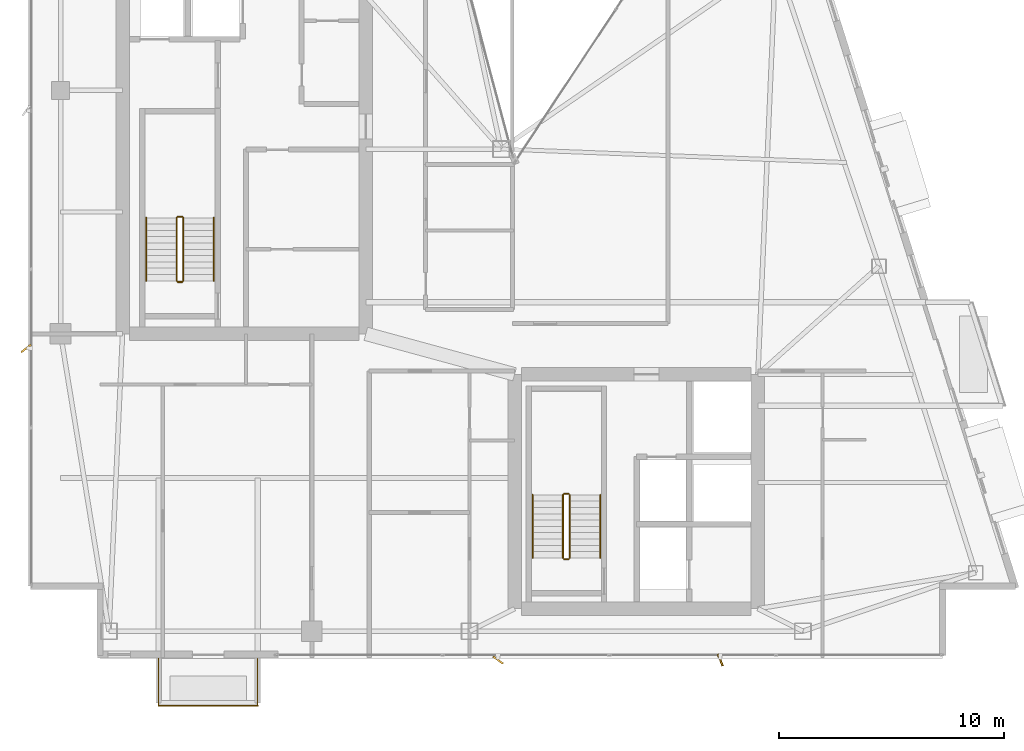
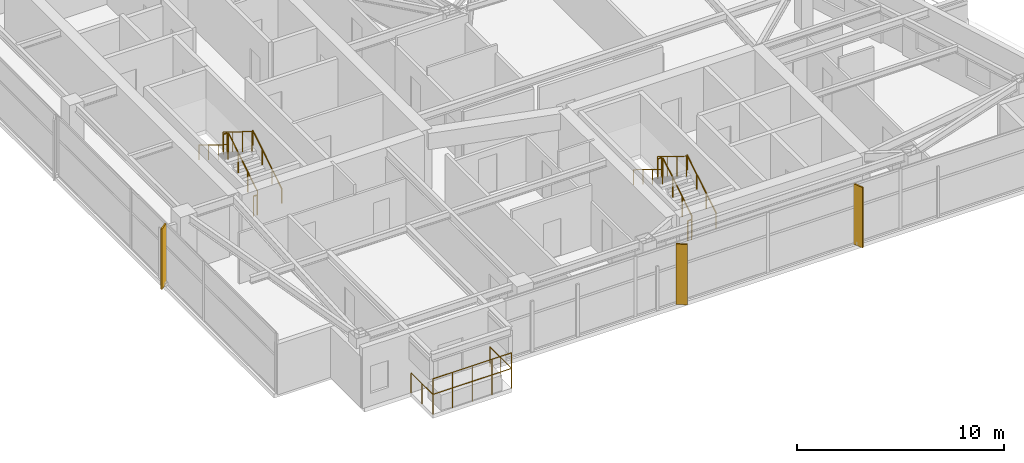
# One storey, part 27 of 28: 14 railings, 3 shading devices.
"""IFC4 building model written with IfcOpenShell, lengths in metres."""

from ifc_helpers import new_model, si_unit, direction, frame, origin, origin_2d, place, context, subcontext, project, spatial, rectangle, circle, extrude, material, type_object, element, save


model = new_model("IFC4")

# Units and contexts
model_context = context("Model", 3, precision=1e-05, world=origin(), true_north=direction((0.0, 1.0)))
body_context = subcontext(model_context, "Body", "Model", "MODEL_VIEW")
ifc_project = project(units=[si_unit("LENGTHUNIT", "METRE"), si_unit("AREAUNIT", "SQUARE_METRE"), si_unit("VOLUMEUNIT", "CUBIC_METRE"), si_unit("PLANEANGLEUNIT", "RADIAN"), si_unit("MASSUNIT", "GRAM", prefix="KILO")], contexts=[model_context])

# Site, building, storey
site_placement = place(None, origin())
site = spatial("IfcSite", under=ifc_project, at=site_placement, CompositionType="ELEMENT")
building_placement = place(site_placement, origin())
building = spatial("IfcBuilding", under=site, at=building_placement, Name="Calvorn Quay Hotel", CompositionType="ELEMENT")
storey_placement = place(building_placement, frame((0.0, 0.0, 271.10009765625)))
storey = spatial("IfcBuildingStorey", under=building, at=storey_placement, Name="L67", CompositionType="ELEMENT", Elevation=271.10009765625)

# Railings
ifc_material_1 = material(Name="Pale Anodised Aluminium and Laminated Glass", Category="aluminium")
railing_type_1 = type_object("IfcRailingType", Name="RLG-BALUSTRADE-1200", PredefinedType="BALUSTRADE", material=ifc_material_1)
railing_1_placement = place(storey_placement, frame((5.800048828125, 2.389892578125, 0.0)))
element("IfcRailing", 1, at=railing_1_placement, inside=storey, type_object=railing_type_1, Name="Tree Balcony Perimeter Balustrade L67-BALC-S", PredefinedType="BALUSTRADE", context=body_context, shape_type="SweptSolid", body=[
    extrude(circle(Radius=0.02392578125, at=origin_2d()), frame((0.0, 0.0, 1.17578125), z_axis=(0.0, -1.0, 0.0), x_axis=(1.0, 0.0, 0.0)), (0.0, 0.0, 1.0), 2.099853515625),
    extrude(circle(Radius=0.02392578125, at=origin_2d()), frame((0.0, -2.099853515625, 1.17578125), z_axis=(1.0, 0.0, 0.0), x_axis=(0.0, 1.0, 0.0)), (0.0, 0.0, 1.0), 4.39990234375),
    extrude(circle(Radius=0.02392578125, at=origin_2d()), frame((4.39990234375, -2.099853515625, 1.17578125), z_axis=(0.0, 1.0, 0.0), x_axis=(-1.0, 0.0, 0.0)), (0.0, 0.0, 1.0), 2.099853515625),
    extrude(circle(Radius=0.02099609375, at=origin_2d()), origin(), (0.0, 0.0, 1.0), 1.15185546875),
    extrude(circle(Radius=0.02099609375, at=origin_2d()), frame((0.0, -1.0498046875, 0.0)), (0.0, 0.0, 1.0), 1.15185546875),
    extrude(circle(Radius=0.02099609375, at=origin_2d()), frame((0.0, -2.099853515625, 0.0)), (0.0, 0.0, 1.0), 1.15185546875),
    extrude(circle(Radius=0.02099609375, at=origin_2d()), frame((1.10009765625, -2.099853515625, 0.0)), (0.0, 0.0, 1.0), 1.15185546875),
    extrude(circle(Radius=0.02099609375, at=origin_2d()), frame((2.199951171875, -2.099853515625, 0.0)), (0.0, 0.0, 1.0), 1.15185546875),
    extrude(circle(Radius=0.02099609375, at=origin_2d()), frame((3.2998046875, -2.099853515625, 0.0)), (0.0, 0.0, 1.0), 1.15185546875),
    extrude(circle(Radius=0.02099609375, at=origin_2d()), frame((4.39990234375, -2.099853515625, 0.0)), (0.0, 0.0, 1.0), 1.15185546875),
    extrude(circle(Radius=0.02099609375, at=origin_2d()), frame((4.39990234375, -1.0498046875, 0.0)), (0.0, 0.0, 1.0), 1.15185546875),
    extrude(circle(Radius=0.02099609375, at=origin_2d()), frame((4.39990234375, 0.0, 0.0)), (0.0, 0.0, 1.0), 1.15185546875),
])
railing_2_placement = place(storey_placement, frame((5.800048828125, 0.2900390625, 0.89990234375)))
element("IfcRailing", 2, at=railing_2_placement, inside=storey, type_object=railing_type_1, Name="Planter Kerb High Safety Screen L67-BALC-S", PredefinedType="BALUSTRADE", context=body_context, shape_type="SweptSolid", body=[
    extrude(circle(Radius=0.02392578125, at=origin_2d()), frame((0.0, 0.0, 1.19580078125), z_axis=(1.0, 0.0, 0.0), x_axis=(0.0, 1.0, 0.0)), (0.0, 0.0, 1.0), 4.39990234375),
    extrude(circle(Radius=0.02099609375, at=origin_2d()), origin(), (0.0, 0.0, 1.0), 1.171875),
    extrude(circle(Radius=0.02099609375, at=origin_2d()), frame((1.10009765625, 0.0, 0.0)), (0.0, 0.0, 1.0), 1.171875),
    extrude(circle(Radius=0.02099609375, at=origin_2d()), frame((2.199951171875, 0.0, 0.0)), (0.0, 0.0, 1.0), 1.171875),
    extrude(circle(Radius=0.02099609375, at=origin_2d()), frame((3.2998046875, 0.0, 0.0)), (0.0, 0.0, 1.0), 1.171875),
    extrude(circle(Radius=0.02099609375, at=origin_2d()), frame((4.39990234375, 0.0, 0.0)), (0.0, 0.0, 1.0), 1.171875),
])
ifc_material_2 = material(Name="Brushed Stainless Steel Handrail", Category="steel")
railing_type_2 = type_object("IfcRailingType", Name="RLG-HANDRAIL-900", PredefinedType="HANDRAIL", material=ifc_material_2)
railing_3_placement = place(storey_placement, frame((8.25, 19.14990234375, 0.172607421875)))
element("IfcRailing", 3, at=railing_3_placement, inside=storey, type_object=railing_type_2, Name="L67 ST-W stair handrail 1", PredefinedType="HANDRAIL", context=body_context, shape_type="SweptSolid", body=[
    extrude(circle(Radius=0.02392578125, at=origin_2d()), frame((0.0, 0.0, 0.8759765625), z_axis=(0.0, 0.851089632645, 0.525020415988), x_axis=(-1.0, 0.0, 0.0)), (0.0, 0.0, 1.0), 3.2900390625),
    extrude(circle(Radius=0.02099609375, at=origin_2d()), origin(), (0.0, 0.0, 1.0), 0.851806640625),
    extrude(circle(Radius=0.02099609375, at=origin_2d()), frame((0.0, 0.933349609375, 0.57568359375)), (0.0, 0.0, 1.0), 0.851806640625),
    extrude(circle(Radius=0.02099609375, at=origin_2d()), frame((0.0, 1.86669921875, 1.151611328125)), (0.0, 0.0, 1.0), 0.851806640625),
    extrude(circle(Radius=0.02099609375, at=origin_2d()), frame((0.0, 2.800048828125, 1.727294921875)), (0.0, 0.0, 1.0), 0.851806640625),
])
railing_4_placement = place(storey_placement, frame((5.25, 21.949951171875, 2.072509765625)))
element("IfcRailing", 4, at=railing_4_placement, inside=storey, type_object=railing_type_2, Name="L67 ST-W stair handrail 2", PredefinedType="HANDRAIL", context=body_context, shape_type="SweptSolid", body=[
    extrude(circle(Radius=0.02392578125, at=origin_2d()), frame((0.0, 0.0, 0.8759765625), z_axis=(0.0, -0.851089632645, 0.525020415988), x_axis=(1.0, 0.0, 0.0)), (0.0, 0.0, 1.0), 3.2900390625),
    extrude(circle(Radius=0.02099609375, at=origin_2d()), origin(), (0.0, 0.0, 1.0), 0.851806640625),
    extrude(circle(Radius=0.02099609375, at=origin_2d()), frame((0.0, -0.933349609375, 0.57568359375)), (0.0, 0.0, 1.0), 0.851806640625),
    extrude(circle(Radius=0.02099609375, at=origin_2d()), frame((0.0, -1.86669921875, 1.151611328125)), (0.0, 0.0, 1.0), 0.851806640625),
    extrude(circle(Radius=0.02099609375, at=origin_2d()), frame((0.0, -2.800048828125, 1.727294921875)), (0.0, 0.0, 1.0), 0.851806640625),
])
railing_5_placement = place(storey_placement, frame((25.39990234375, 6.85009765625, 0.172607421875)))
element("IfcRailing", 5, at=railing_5_placement, inside=storey, type_object=railing_type_2, Name="L67 ST-E stair handrail 1", PredefinedType="HANDRAIL", context=body_context, shape_type="SweptSolid", body=[
    extrude(circle(Radius=0.02392578125, at=origin_2d()), frame((0.0, 0.0, 0.8759765625), z_axis=(0.0, 0.851069175582, 0.525053576669), x_axis=(-1.0, 0.0, 0.0)), (0.0, 0.0, 1.0), 3.289794921875),
    extrude(circle(Radius=0.02099609375, at=origin_2d()), origin(), (0.0, 0.0, 1.0), 0.851806640625),
    extrude(circle(Radius=0.02099609375, at=origin_2d()), frame((0.0, 0.933349609375, 0.57568359375)), (0.0, 0.0, 1.0), 0.851806640625),
    extrude(circle(Radius=0.02099609375, at=origin_2d()), frame((0.0, 1.866455078125, 1.151611328125)), (0.0, 0.0, 1.0), 0.851806640625),
    extrude(circle(Radius=0.02099609375, at=origin_2d()), frame((0.0, 2.7998046875, 1.727294921875)), (0.0, 0.0, 1.0), 0.851806640625),
])
railing_6_placement = place(storey_placement, frame((22.39990234375, 9.64990234375, 2.072509765625)))
element("IfcRailing", 6, at=railing_6_placement, inside=storey, type_object=railing_type_2, Name="L67 ST-E stair handrail 2", PredefinedType="HANDRAIL", context=body_context, shape_type="SweptSolid", body=[
    extrude(circle(Radius=0.02392578125, at=origin_2d()), frame((0.0, 0.0, 0.8759765625), z_axis=(0.0, -0.851069175582, 0.525053576669), x_axis=(1.0, 0.0, 0.0)), (0.0, 0.0, 1.0), 3.289794921875),
    extrude(circle(Radius=0.02099609375, at=origin_2d()), origin(), (0.0, 0.0, 1.0), 0.851806640625),
    extrude(circle(Radius=0.02099609375, at=origin_2d()), frame((0.0, -0.933349609375, 0.57568359375)), (0.0, 0.0, 1.0), 0.851806640625),
    extrude(circle(Radius=0.02099609375, at=origin_2d()), frame((0.0, -1.866455078125, 1.151611328125)), (0.0, 0.0, 1.0), 0.851806640625),
    extrude(circle(Radius=0.02099609375, at=origin_2d()), frame((0.0, -2.7998046875, 1.727294921875)), (0.0, 0.0, 1.0), 0.851806640625),
])
ifc_material_3 = material(Name="Painted Galvanised Steel Balustrade", Category="steel")
railing_type_3 = type_object("IfcRailingType", Name="RLG-STAIR-GUARD-1120", PredefinedType="GUARDRAIL", material=ifc_material_3)
railing_7_placement = place(storey_placement, frame((6.89990234375, 19.14990234375, 0.172607421875)))
element("IfcRailing", 7, at=railing_7_placement, inside=storey, type_object=railing_type_3, Name="L67 ST-W stair guard 1", PredefinedType="GUARDRAIL", context=body_context, shape_type="SweptSolid", body=[
    extrude(circle(Radius=0.02392578125, at=origin_2d()), frame((0.0, 0.0, 1.17578125), z_axis=(0.0, 0.851089632645, 0.525020415988), x_axis=(-1.0, 0.0, 0.0)), (0.0, 0.0, 1.0), 3.2900390625),
    extrude(circle(Radius=0.02099609375, at=origin_2d()), origin(), (0.0, 0.0, 1.0), 1.15185546875),
    extrude(circle(Radius=0.02099609375, at=origin_2d()), frame((0.0, 0.933349609375, 0.57568359375)), (0.0, 0.0, 1.0), 1.15185546875),
    extrude(circle(Radius=0.02099609375, at=origin_2d()), frame((0.0, 1.86669921875, 1.151611328125)), (0.0, 0.0, 1.0), 1.15185546875),
    extrude(circle(Radius=0.02099609375, at=origin_2d()), frame((0.0, 2.800048828125, 1.727294921875)), (0.0, 0.0, 1.0), 1.15185546875),
])
railing_8_placement = place(storey_placement, frame((6.85009765625, 22.0, 1.89990234375)))
element("IfcRailing", 8, at=railing_8_placement, inside=storey, type_object=railing_type_3, Name="L67 ST-W stair guard 2", PredefinedType="GUARDRAIL", context=body_context, shape_type="SweptSolid", body=[
    extrude(circle(Radius=0.02392578125, at=origin_2d()), frame((0.0, 0.0, 1.17578125), z_axis=(-1.0, 0.0, 0.0), x_axis=(0.0, -1.0, 0.0)), (0.0, 0.0, 1.0), 0.2001953125),
    extrude(circle(Radius=0.02099609375, at=origin_2d()), origin(), (0.0, 0.0, 1.0), 1.15185546875),
    extrude(circle(Radius=0.02099609375, at=origin_2d()), frame((-0.2001953125, 0.0, 0.0)), (0.0, 0.0, 1.0), 1.15185546875),
])
railing_9_placement = place(storey_placement, frame((6.60009765625, 21.949951171875, 2.072509765625)))
element("IfcRailing", 9, at=railing_9_placement, inside=storey, type_object=railing_type_3, Name="L67 ST-W stair guard 3", PredefinedType="GUARDRAIL", context=body_context, shape_type="SweptSolid", body=[
    extrude(circle(Radius=0.02392578125, at=origin_2d()), frame((0.0, 0.0, 1.17578125), z_axis=(0.0, -0.851089632645, 0.525020415988), x_axis=(1.0, 0.0, 0.0)), (0.0, 0.0, 1.0), 3.2900390625),
    extrude(circle(Radius=0.02099609375, at=origin_2d()), origin(), (0.0, 0.0, 1.0), 1.15185546875),
    extrude(circle(Radius=0.02099609375, at=origin_2d()), frame((0.0, -0.933349609375, 0.57568359375)), (0.0, 0.0, 1.0), 1.15185546875),
    extrude(circle(Radius=0.02099609375, at=origin_2d()), frame((0.0, -1.86669921875, 1.151611328125)), (0.0, 0.0, 1.0), 1.15185546875),
    extrude(circle(Radius=0.02099609375, at=origin_2d()), frame((0.0, -2.800048828125, 1.727294921875)), (0.0, 0.0, 1.0), 1.15185546875),
])
railing_10_placement = place(storey_placement, frame((6.85009765625, 19.10009765625, 0.0)))
element("IfcRailing", 10, at=railing_10_placement, inside=storey, type_object=railing_type_3, Name="L67 ST-W stair guard 4", PredefinedType="GUARDRAIL", context=body_context, shape_type="SweptSolid", body=[
    extrude(circle(Radius=0.02392578125, at=origin_2d()), frame((0.0, 0.0, 1.17578125), z_axis=(-1.0, 0.0, 0.0), x_axis=(0.0, -1.0, 0.0)), (0.0, 0.0, 1.0), 0.2001953125),
    extrude(circle(Radius=0.02099609375, at=origin_2d()), origin(), (0.0, 0.0, 1.0), 1.15185546875),
    extrude(circle(Radius=0.02099609375, at=origin_2d()), frame((-0.2001953125, 0.0, 0.0)), (0.0, 0.0, 1.0), 1.15185546875),
])
railing_11_placement = place(storey_placement, frame((24.050048828125, 6.85009765625, 0.172607421875)))
element("IfcRailing", 11, at=railing_11_placement, inside=storey, type_object=railing_type_3, Name="L67 ST-E stair guard 1", PredefinedType="GUARDRAIL", context=body_context, shape_type="SweptSolid", body=[
    extrude(circle(Radius=0.02392578125, at=origin_2d()), frame((0.0, 0.0, 1.17578125), z_axis=(0.0, 0.851069175582, 0.525053576669), x_axis=(-1.0, 0.0, 0.0)), (0.0, 0.0, 1.0), 3.289794921875),
    extrude(circle(Radius=0.02099609375, at=origin_2d()), origin(), (0.0, 0.0, 1.0), 1.15185546875),
    extrude(circle(Radius=0.02099609375, at=origin_2d()), frame((0.0, 0.933349609375, 0.57568359375)), (0.0, 0.0, 1.0), 1.15185546875),
    extrude(circle(Radius=0.02099609375, at=origin_2d()), frame((0.0, 1.866455078125, 1.151611328125)), (0.0, 0.0, 1.0), 1.15185546875),
    extrude(circle(Radius=0.02099609375, at=origin_2d()), frame((0.0, 2.7998046875, 1.727294921875)), (0.0, 0.0, 1.0), 1.15185546875),
])
railing_12_placement = place(storey_placement, frame((24.0, 9.699951171875, 1.89990234375)))
element("IfcRailing", 12, at=railing_12_placement, inside=storey, type_object=railing_type_3, Name="L67 ST-E stair guard 2", PredefinedType="GUARDRAIL", context=body_context, shape_type="SweptSolid", body=[
    extrude(circle(Radius=0.02392578125, at=origin_2d()), frame((0.0, 0.0, 1.17578125), z_axis=(-1.0, 0.0, 0.0), x_axis=(0.0, -1.0, 0.0)), (0.0, 0.0, 1.0), 0.199951171875),
    extrude(circle(Radius=0.02099609375, at=origin_2d()), origin(), (0.0, 0.0, 1.0), 1.15185546875),
    extrude(circle(Radius=0.02099609375, at=origin_2d()), frame((-0.199951171875, 0.0, 0.0)), (0.0, 0.0, 1.0), 1.15185546875),
])
railing_13_placement = place(storey_placement, frame((23.75, 9.64990234375, 2.072509765625)))
element("IfcRailing", 13, at=railing_13_placement, inside=storey, type_object=railing_type_3, Name="L67 ST-E stair guard 3", PredefinedType="GUARDRAIL", context=body_context, shape_type="SweptSolid", body=[
    extrude(circle(Radius=0.02392578125, at=origin_2d()), frame((0.0, 0.0, 1.17578125), z_axis=(0.0, -0.851069175582, 0.525053576669), x_axis=(1.0, 0.0, 0.0)), (0.0, 0.0, 1.0), 3.289794921875),
    extrude(circle(Radius=0.02099609375, at=origin_2d()), origin(), (0.0, 0.0, 1.0), 1.15185546875),
    extrude(circle(Radius=0.02099609375, at=origin_2d()), frame((0.0, -0.933349609375, 0.57568359375)), (0.0, 0.0, 1.0), 1.15185546875),
    extrude(circle(Radius=0.02099609375, at=origin_2d()), frame((0.0, -1.866455078125, 1.151611328125)), (0.0, 0.0, 1.0), 1.15185546875),
    extrude(circle(Radius=0.02099609375, at=origin_2d()), frame((0.0, -2.7998046875, 1.727294921875)), (0.0, 0.0, 1.0), 1.15185546875),
])
railing_14_placement = place(storey_placement, frame((24.0, 6.800048828125, 0.0)))
element("IfcRailing", 14, at=railing_14_placement, inside=storey, type_object=railing_type_3, Name="L67 ST-E stair guard 4", PredefinedType="GUARDRAIL", context=body_context, shape_type="SweptSolid", body=[
    extrude(circle(Radius=0.02392578125, at=origin_2d()), frame((0.0, 0.0, 1.17578125), z_axis=(-1.0, 0.0, 0.0), x_axis=(0.0, -1.0, 0.0)), (0.0, 0.0, 1.0), 0.199951171875),
    extrude(circle(Radius=0.02099609375, at=origin_2d()), origin(), (0.0, 0.0, 1.0), 1.15185546875),
    extrude(circle(Radius=0.02099609375, at=origin_2d()), frame((-0.199951171875, 0.0, 0.0)), (0.0, 0.0, 1.0), 1.15185546875),
])

# Shading devices
ifc_material_4 = material(Name="Champagne Bronze Anodised Aluminium 6063-T6", Category="aluminium")
shading_device_type_1 = type_object("IfcShadingDeviceType", Name="SHD-FIN-A1", PredefinedType="USERDEFINED", material=ifc_material_4)
shading_device_1_placement = place(storey_placement, frame((30.73291015625, 2.320068359375, -0.000244140625), z_axis=(0.0, 0.0, 1.0), x_axis=(-0.374606593416, 0.927183854567, 0.0)))
element("IfcShadingDevice", 15, at=shading_device_1_placement, inside=storey, type_object=shading_device_type_1, Name="Diagonal Sun-Shading Fin L67-S02", ObjectType="FIN", PredefinedType="USERDEFINED", context=body_context, shape_type="SweptSolid", body=[
    extrude(rectangle(XDim=0.550048828125, YDim=0.080078125, at=origin_2d()), origin(), (0.0, 0.0, 1.0), 3.56005859375),
])
ifc_material_5 = material(Name="Champagne Bronze Anodised Aluminium 6063-T6", Category="aluminium")
shading_device_type_2 = type_object("IfcShadingDeviceType", Name="SHD-FIN-A2", PredefinedType="USERDEFINED", material=ifc_material_5)
shading_device_2_placement = place(storey_placement, frame((-0.080078125, 16.14990234375, -0.000244140625), z_axis=(0.0, 0.0, 1.0), x_axis=(0.788010753607, 0.615661475326, 0.0)))
element("IfcShadingDevice", 16, at=shading_device_2_placement, inside=storey, type_object=shading_device_type_2, Name="Diagonal Sun-Shading Fin L67-W01", ObjectType="FIN", PredefinedType="USERDEFINED", context=body_context, shape_type="SweptSolid", body=[
    extrude(rectangle(XDim=0.550048828125, YDim=0.080078125, at=origin_2d()), origin(), (0.0, 0.0, 1.0), 3.56005859375),
])
ifc_material_6 = material(Name="Champagne Bronze Anodised Aluminium 6063-T6", Category="aluminium")
shading_device_type_3 = type_object("IfcShadingDeviceType", Name="SHD-FIN-A3", PredefinedType="USERDEFINED", material=ifc_material_6)
shading_device_3_placement = place(storey_placement, frame((20.866943359375, 2.320068359375, -0.000244140625), z_axis=(0.0, 0.0, 1.0), x_axis=(-0.809016994375, 0.587785252292, 0.0)))
element("IfcShadingDevice", 17, at=shading_device_3_placement, inside=storey, type_object=shading_device_type_3, Name="Diagonal Sun-Shading Fin L67-S01", ObjectType="FIN", PredefinedType="USERDEFINED", context=body_context, shape_type="SweptSolid", body=[
    extrude(rectangle(XDim=0.550048828125, YDim=0.080078125, at=origin_2d()), origin(), (0.0, 0.0, 1.0), 3.56005859375),
])

save(model, "model.ifc")
